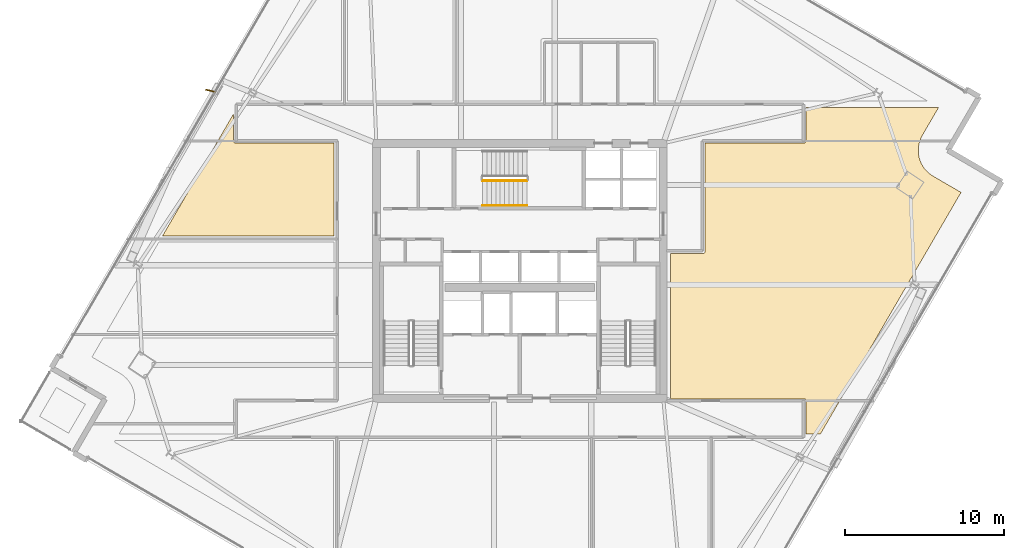
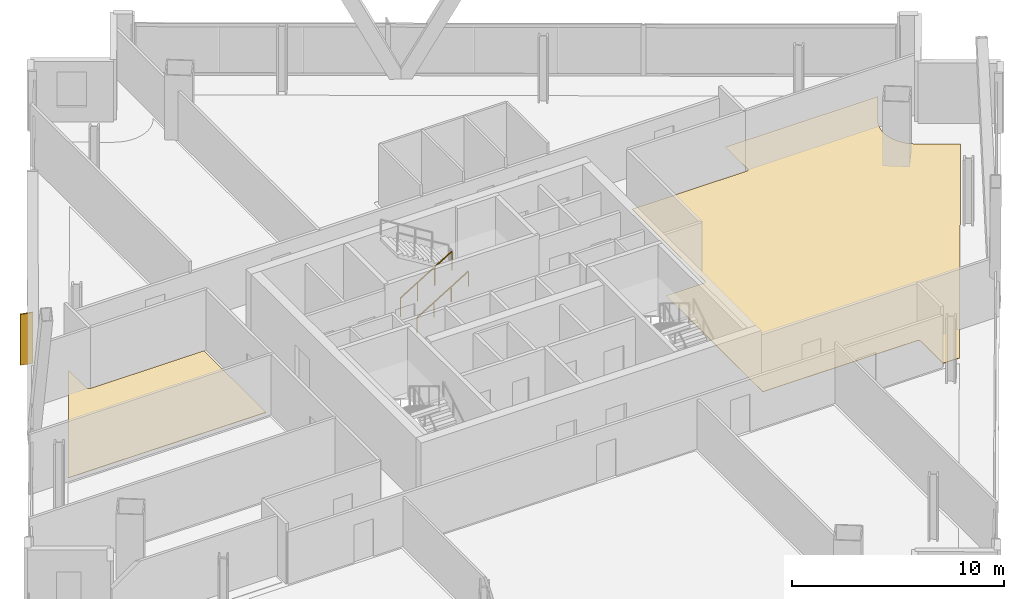
# One storey, part 27 of 29: 2 coverings, 2 railings, 1 shading device.
"""IFC4 building model written with IfcOpenShell, lengths in metres."""

from ifc_helpers import new_model, si_unit, direction, frame, origin, origin_2d, place, context, subcontext, project, spatial, polyline, rectangle, outline, extrude, source, transform, mapped, material, layer, layer_set, type_object, element, save


model = new_model("IFC4")

# Units and contexts
model_context = context("Model", 3, precision=1e-05, world=origin(), true_north=direction((0.0, 1.0)))
body_context = subcontext(model_context, "Body", "Model", "MODEL_VIEW")
ifc_project = project(units=[si_unit("LENGTHUNIT", "METRE"), si_unit("AREAUNIT", "SQUARE_METRE"), si_unit("VOLUMEUNIT", "CUBIC_METRE"), si_unit("PLANEANGLEUNIT", "RADIAN"), si_unit("MASSUNIT", "GRAM", prefix="KILO")], contexts=[model_context])

# Site, building, storey
site_placement = place(None, origin())
site = spatial("IfcSite", under=ifc_project, at=site_placement, CompositionType="ELEMENT")
building_placement = place(site_placement, origin())
building = spatial("IfcBuilding", under=site, at=building_placement, Name="Haldenkirk Collegiate Tower", CompositionType="ELEMENT")
storey_placement = place(building_placement, frame((0.0, 0.0, 228.449951171875)))
storey = spatial("IfcBuildingStorey", under=building, at=storey_placement, Name="L57", CompositionType="ELEMENT", Elevation=228.449951171875)

# Coverings
ifc_material_1 = material(Name="Polished collegiate terrazzo", Category="concrete")
ifc_layer_1 = layer(ifc_material_1, 0.02490234375)
ifc_layer_set_1 = layer_set([ifc_layer_1], Name="Polished collegiate terrazzo")
covering_type_1 = type_object("IfcCoveringType", Name="COV-FLOOR-TERRAZZO", PredefinedType="FLOORING", material=ifc_layer_set_1)
covering_1_placement = place(storey_placement, origin())
element("IfcCovering", 1, at=covering_1_placement, inside=storey, type_object=covering_type_1, Name="L57 academic room finish 10", PredefinedType="FLOORING", context=body_context, shape_type="SweptSolid", body=[
    extrude(outline(polyline([(18.030029296875, 35.838623046875), (18.030029296875, 34.14990234375), (18.030517578125, 34.13818359375), (18.0322265625, 34.126708984375), (18.03515625, 34.115234375), (18.0390625, 34.10400390625), (18.044189453125, 34.093505859375), (18.05029296875, 34.083251953125), (18.05712890625, 34.073974609375), (18.065185546875, 34.065185546875), (18.073974609375, 34.05712890625), (18.083251953125, 34.05029296875), (18.093505859375, 34.044189453125), (18.10400390625, 34.0390625), (18.115234375, 34.03515625), (18.126708984375, 34.0322265625), (18.13818359375, 34.030517578125), (18.14990234375, 34.030029296875), (24.35009765625, 34.030029296875), (24.35009765625, 28.199951171875), (13.584228515625, 28.199951171875), (18.030029296875, 35.838623046875)])), origin(), (0.0, 0.0, 1.0), 0.025146484375),
])
ifc_material_2 = material(Name="Engineered collegiate oak acoustic flooring", Category="wood")
ifc_layer_2 = layer(ifc_material_2, 0.02197265625)
ifc_layer_set_2 = layer_set([ifc_layer_2], Name="Engineered collegiate oak acoustic flooring")
covering_type_2 = type_object("IfcCoveringType", Name="COV-FLOOR-TIMBER", PredefinedType="FLOORING", material=ifc_layer_set_2)
covering_2_placement = place(storey_placement, origin())
element("IfcCovering", 2, at=covering_2_placement, inside=storey, type_object=covering_type_2, Name="L57 academic room finish 11", PredefinedType="FLOORING", context=body_context, shape_type="SweptSolid", body=[
    extrude(outline(polyline([(45.449951171875, 17.969970703125), (45.449951171875, 27.080078125), (47.5, 27.080078125), (47.51171875, 27.08056640625), (47.5234375, 27.082275390625), (47.534912109375, 27.085205078125), (47.5458984375, 27.089111328125), (47.556640625, 27.09423828125), (47.566650390625, 27.10009765625), (47.576171875, 27.107177734375), (47.5849609375, 27.114990234375), (47.5927734375, 27.123779296875), (47.599853515625, 27.13330078125), (47.605712890625, 27.143310546875), (47.61083984375, 27.154052734375), (47.61474609375, 27.165283203125), (47.61767578125, 27.176513671875), (47.619384765625, 27.188232421875), (47.6201171875, 27.199951171875), (47.6201171875, 34.030029296875), (53.85009765625, 34.030029296875), (53.86181640625, 34.030517578125), (53.873291015625, 34.0322265625), (53.884765625, 34.03515625), (53.89599609375, 34.0390625), (53.906494140625, 34.044189453125), (53.916748046875, 34.05029296875), (53.926025390625, 34.05712890625), (53.934814453125, 34.065185546875), (53.94287109375, 34.073974609375), (53.94970703125, 34.083251953125), (53.955810546875, 34.093505859375), (53.9609375, 34.10400390625), (53.96484375, 34.115234375), (53.9677734375, 34.126708984375), (53.969482421875, 34.13818359375), (53.969970703125, 34.14990234375), (53.969970703125, 36.25), (62.277587890625, 36.25), (61.2578125, 34.498291015625), (61.2548828125, 34.492919921875), (61.176025390625, 34.340576171875), (61.171142578125, 34.329833984375), (61.107421875, 34.17041015625), (61.103515625, 34.1591796875), (61.055908203125, 33.994140625), (61.05322265625, 33.982666015625), (61.02197265625, 33.81396484375), (61.020263671875, 33.80224609375), (61.005615234375, 33.631103515625), (61.005126953125, 33.619384765625), (61.007568359375, 33.447509765625), (61.00830078125, 33.435791015625), (61.027099609375, 33.26513671875), (61.029052734375, 33.25341796875), (61.064697265625, 33.08544921875), (61.06787109375, 33.07421875), (61.11962890625, 32.910400390625), (61.123779296875, 32.8994140625), (61.191650390625, 32.74169921875), (61.19677734375, 32.731201171875), (61.27978515625, 32.580810546875), (61.285888671875, 32.57080078125), (61.383056640625, 32.42919921875), (61.390380859375, 32.419677734375), (61.5009765625, 32.288330078125), (61.5087890625, 32.27978515625), (61.6318359375, 32.159912109375), (61.640869140625, 32.152099609375), (61.77490234375, 32.044921875), (61.784423828125, 32.0380859375), (61.928466796875, 31.9443359375), (61.933349609375, 31.94140625), (63.68798828125, 30.920166015625), (54.858642578125, 15.75), (53.969970703125, 15.75), (53.969970703125, 17.85009765625), (53.969482421875, 17.86181640625), (53.9677734375, 17.873291015625), (53.96484375, 17.884765625), (53.9609375, 17.89599609375), (53.955810546875, 17.906494140625), (53.94970703125, 17.916748046875), (53.94287109375, 17.926025390625), (53.934814453125, 17.934814453125), (53.926025390625, 17.94287109375), (53.916748046875, 17.94970703125), (53.906494140625, 17.955810546875), (53.89599609375, 17.9609375), (53.884765625, 17.96484375), (53.873291015625, 17.9677734375), (53.86181640625, 17.969482421875), (53.85009765625, 17.969970703125), (45.449951171875, 17.969970703125)])), origin(), (0.0, 0.0, 1.0), 0.02197265625),
])

# Railings
ifc_material_3 = material(Name="Painted architectural tubular steel", Category="steel")
railing_type_1 = type_object("IfcRailingType", Name="RLG-STAIR-GUARD-1100", PredefinedType="BALUSTRADE", material=ifc_material_3)
railing_1_placement = place(storey_placement, frame((33.64990234375, 31.64990234375, 0.17041015625)))
element("IfcRailing", 3, at=railing_1_placement, inside=storey, type_object=railing_type_1, Name="L57 ST-3 stair guard 1", PredefinedType="BALUSTRADE", context=body_context, shape_type="SweptSolid", body=[
    extrude(rectangle(XDim=0.048095703125, YDim=0.048095703125, at=origin_2d()), frame((0.0, 0.0, 1.076171875), z_axis=(0.854169791009, 0.0, 0.51999420009), x_axis=(0.0, 1.0, 0.0)), (0.0, 0.0, 1.0), 3.278076171875),
    extrude(rectangle(XDim=0.0419921875, YDim=0.0419921875, at=origin_2d()), origin(), (0.0, 0.0, 1.0), 1.052001953125),
    extrude(rectangle(XDim=0.0419921875, YDim=0.0419921875, at=origin_2d()), frame((0.933349609375, 0.0, 0.568115234375)), (0.0, 0.0, 1.0), 1.052001953125),
    extrude(rectangle(XDim=0.0419921875, YDim=0.0419921875, at=origin_2d()), frame((1.86669921875, 0.0, 1.136474609375)), (0.0, 0.0, 1.0), 1.052001953125),
    extrude(rectangle(XDim=0.0419921875, YDim=0.0419921875, at=origin_2d()), frame((2.800048828125, 0.0, 1.70458984375)), (0.0, 0.0, 1.0), 1.052001953125),
])
railing_type_2 = type_object("IfcRailingType", Name="RLG-STAIR-HANDRAIL-900", PredefinedType="HANDRAIL", material=ifc_material_3)
railing_2_placement = place(storey_placement, frame((33.64990234375, 30.10009765625, 0.17041015625)))
element("IfcRailing", 4, at=railing_2_placement, inside=storey, type_object=railing_type_2, Name="L57 ST-3 stair handrail 1", PredefinedType="HANDRAIL", context=body_context, shape_type="SweptSolid", body=[
    extrude(rectangle(XDim=0.048095703125, YDim=0.048095703125, at=origin_2d()), frame((0.0, 0.0, 0.8759765625), z_axis=(0.854169791009, 0.0, 0.51999420009), x_axis=(0.0, 1.0, 0.0)), (0.0, 0.0, 1.0), 3.278076171875),
    extrude(rectangle(XDim=0.0419921875, YDim=0.0419921875, at=origin_2d()), origin(), (0.0, 0.0, 1.0), 0.851806640625),
    extrude(rectangle(XDim=0.0419921875, YDim=0.0419921875, at=origin_2d()), frame((0.933349609375, 0.0, 0.568115234375)), (0.0, 0.0, 1.0), 0.851806640625),
    extrude(rectangle(XDim=0.0419921875, YDim=0.0419921875, at=origin_2d()), frame((1.86669921875, 0.0, 1.136474609375)), (0.0, 0.0, 1.0), 0.851806640625),
    extrude(rectangle(XDim=0.0419921875, YDim=0.0419921875, at=origin_2d()), frame((2.800048828125, 0.0, 1.70458984375)), (0.0, 0.0, 1.0), 0.851806640625),
])

# Shading device
ifc_material_4 = material(Name="Anodised architectural bronze aluminium", Category="aluminium")
ifc_layer_3 = layer(ifc_material_4, 0.06494140625)
ifc_layer_set_3 = layer_set([ifc_layer_3], Name="Anodised architectural bronze aluminium")
shading_device_type = type_object("IfcShadingDeviceType", Name="SHD-FIN-BRONZE-620", PredefinedType="USERDEFINED", material=ifc_layer_set_3)
shared_shape = source(origin(), body_context, "Body", "SweptSolid", [
    extrude(rectangle(XDim=0.6201171875, YDim=0.06494140625, at=origin_2d()), origin(), (0.0, 0.0, 1.0), 2.927978515625),
])
shading_device_placement = place(storey_placement, frame((16.583984375, 37.30029296875, 0.0), z_axis=(0.0, 0.0, 1.0), x_axis=(-0.969445349895, 0.245307385879, 0.0)))
element("IfcShadingDevice", 5, at=shading_device_placement, inside=storey, type_object=shading_device_type, Name="L57 folded bronze solar fin 1", ObjectType="FIN", PredefinedType="USERDEFINED", context=body_context, shape_type="MappedRepresentation", body=[
    mapped(shared_shape, transform((0.0, 0.0, 0.0), x_axis=(1.0, 0.0, 0.0), y_axis=(0.0, 1.0, 0.0), z_axis=(0.0, 0.0, 1.0), scale=1.0)),
])

save(model, "model.ifc")
